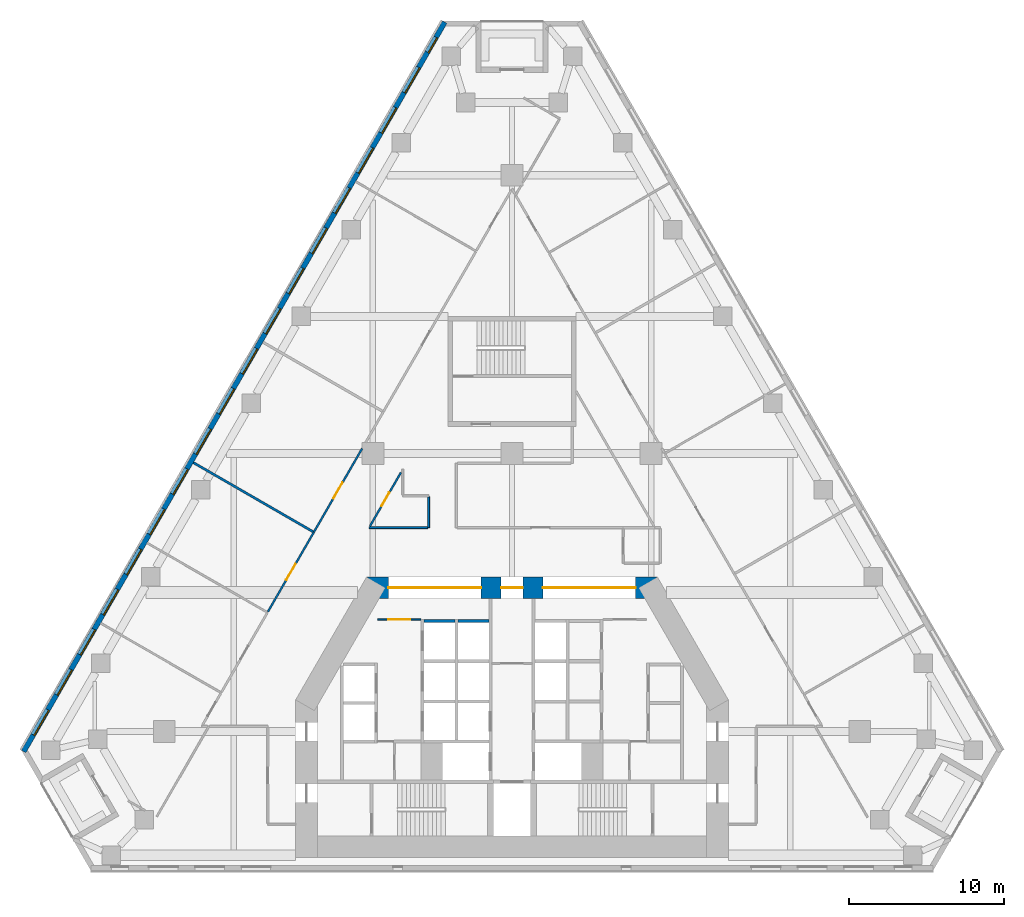
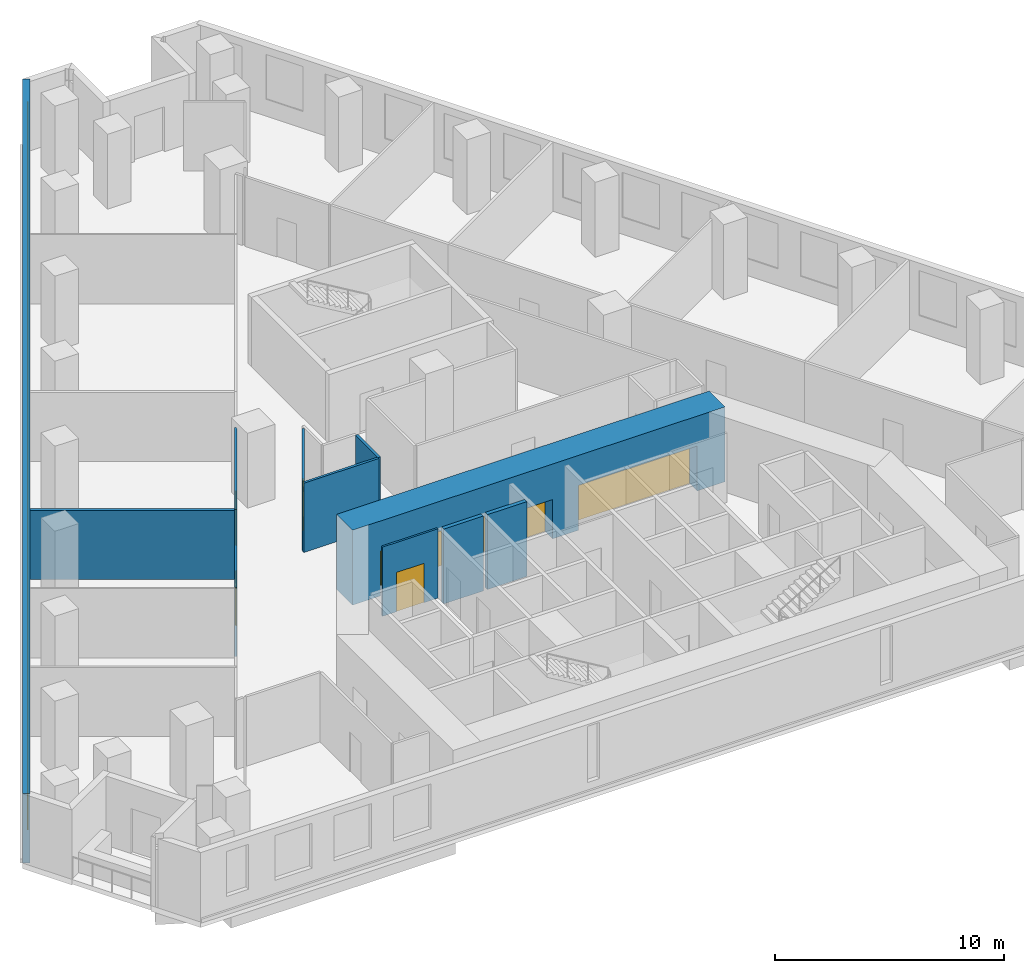
# One storey, part 5 of 11: 18 windows, 11 walls, 7 doors, 25 openings.
"""IFC4 building model written with IfcOpenShell, lengths in metres."""

from ifc_helpers import new_model, si_unit, direction, frame, frame_2d, origin, place, context, subcontext, project, spatial, rectangle, extrude, material, layer, layer_set, type_object, element, fill, save


model = new_model("IFC4")

# Units and contexts
model_context = context("Model", 3, precision=1e-05, world=origin(), true_north=direction((0.0, 1.0)))
body_context = subcontext(model_context, "Body", "Model", "MODEL_VIEW")
ifc_project = project(units=[si_unit("LENGTHUNIT", "METRE"), si_unit("AREAUNIT", "SQUARE_METRE"), si_unit("VOLUMEUNIT", "CUBIC_METRE"), si_unit("PLANEANGLEUNIT", "RADIAN"), si_unit("MASSUNIT", "GRAM", prefix="KILO")], contexts=[model_context])

# Site, building, storey
site_placement = place(None, origin())
site = spatial("IfcSite", under=ifc_project, at=site_placement, CompositionType="ELEMENT")
building_placement = place(site_placement, origin())
building = spatial("IfcBuilding", under=site, at=building_placement, Name="Fogline Exchange Tower", CompositionType="ELEMENT")
storey_placement = place(building_placement, frame((0.0, 0.0, 56.89990234375)))
storey = spatial("IfcBuildingStorey", under=building, at=storey_placement, Name="L11", CompositionType="ELEMENT", Elevation=56.89990234375)

# Wall, opening, door
ifc_material_1 = material(Name="Blockwork partition", Category="masonry")
ifc_layer_1 = layer(ifc_material_1, 0.10009765625)
ifc_layer_set_1 = layer_set([ifc_layer_1], Name="CW10")
wall_type_1 = type_object("IfcWallType", Name="CW10", PredefinedType="PARTITIONING", material=ifc_layer_set_1)
wall_1_placement = place(storey_placement, frame((-8.699951171875, 16.25, 0.0), z_axis=(0.0, 0.0, 1.0), x_axis=(1.0, 0.0, 0.0)))
wall_1 = element("IfcWall", 1, at=wall_1_placement, inside=storey, type_object=wall_type_1, Name="Lift lobby partition", PredefinedType="PARTITIONING", context=body_context, shape_type="SweptSolid", body=[
    extrude(rectangle(XDim=2.800048828125, YDim=0.10009765625, at=frame_2d((1.39990234375, 0.0))), origin(), (0.0, 0.0, 1.0), 3.7001953125),
])
opening_1_placement = place(wall_1_placement, frame((0.699951171875, 0.0, 0.0)))
opening_1 = element("IfcOpeningElement", 2, at=opening_1_placement, cuts=wall_1, Name="Opening T03-C007", PredefinedType="OPENING", context=body_context, shape_type="SweptSolid", body=[
    extrude(rectangle(XDim=1.39990234375, YDim=2.10009765625, at=frame_2d((0.699951171875, 1.050048828125))), frame((0.0, 0.06005859375, 0.0), z_axis=(0.0, -1.0, 0.0), x_axis=(1.0, 0.0, 0.0)), (0.0, 0.0, 1.0), 0.1201171875),
])
ifc_material_2 = material(Name="Steel and timber fire door", Category="steel")
door_type_1 = type_object("IfcDoorType", Name="D-LB1", OperationType="DOUBLE_DOOR_SINGLE_SWING", PredefinedType="DOOR", material=ifc_material_2)
door_1_placement = place(opening_1_placement, origin())
door_1 = element("IfcDoor", 3, at=door_1_placement, inside=storey, type_object=door_type_1, Name="Door to lift lobby", OperationType="DOUBLE_DOOR_SINGLE_SWING", OverallHeight=2.10009765625, OverallWidth=1.39990234375, PredefinedType="DOOR", context=body_context, shape_type="SweptSolid", body=[
    extrude(rectangle(XDim=1.39990234375, YDim=2.10009765625, at=frame_2d((0.699951171875, 1.050048828125))), frame((0.0, 0.02490234375, 0.0), z_axis=(0.0, -1.0, 0.0), x_axis=(1.0, 0.0, 0.0)), (0.0, 0.0, 1.0), 0.050048828125),
])
fill(opening_1, door_1)

# Walls
ifc_material_3 = material(Name="Concrete C40", Category="concrete")
ifc_layer_2 = layer(ifc_material_3, 0.199951171875)
ifc_layer_set_2 = layer_set([ifc_layer_2], Name="CW20S")
wall_type_2 = type_object("IfcWallType", Name="CW20S", PredefinedType="SOLIDWALL", material=ifc_layer_set_2)
for number, where, z_axis, x_axis, name in (
    (4, (-5.699951171875, 16.14990234375, -0.2998046875), (0.0, 0.0, 1.0), (1.0, 0.0, 0.0), "Lift shaft wall"),
    (5, (-3.5, 16.14990234375, -0.2998046875), (0.0, 0.0, 1.0), (1.0, 0.0, 0.0), "Lift shaft wall"),
):
    element("IfcWall", number, at=place(storey_placement, frame(where, z_axis=z_axis, x_axis=x_axis)), inside=storey, type_object=wall_type_2, Name=name, PredefinedType="SOLIDWALL", context=body_context, shape_type="SweptSolid", body=[
        extrude(rectangle(XDim=2.0, YDim=0.199951171875, at=frame_2d((1.0, 0.0))), origin(), (0.0, 0.0, 1.0), 4.0),
    ])

# Wall, openings, windows
ifc_material_4 = material(Name="Brick masonry", Category="masonry")
ifc_layer_3 = layer(ifc_material_4, 0.340087890625)
ifc_layer_set_3 = layer_set([ifc_layer_3], Name="FW1")
wall_type_3 = type_object("IfcWallType", Name="FW1", PredefinedType="SOLIDWALL", material=ifc_layer_set_3)
wall_2_placement = place(storey_placement, frame((-4.352783203125, 54.916748046875, 0.0), z_axis=(0.0, 0.0, 1.0), x_axis=(-0.499997975305, -0.86602657274, 0.0)))
wall_2 = element("IfcWall", 6, at=wall_2_placement, inside=storey, type_object=wall_type_3, Name="Brick wall L11 W", PredefinedType="SOLIDWALL", context=body_context, shape_type="SweptSolid", body=[
    extrude(rectangle(XDim=54.510498046875, YDim=0.340087890625, at=frame_2d((27.25537109375, 0.0))), origin(), (0.0, 0.0, 1.0), 3.7001953125),
])
opening_2_placement = place(wall_2_placement, frame((3.3828125, 0.0, 0.89990234375)))
opening_2 = element("IfcOpeningElement", 7, at=opening_2_placement, cuts=wall_2, Name="Opening W1", PredefinedType="OPENING", context=body_context, shape_type="SweptSolid", body=[
    extrude(rectangle(XDim=1.885009765625, YDim=2.39990234375, at=frame_2d((0.9423828125, 1.199951171875))), frame((0.0, 0.18017578125, 0.0), z_axis=(0.0, -1.0, 0.0), x_axis=(1.0, 0.0, 0.0)), (0.0, 0.0, 1.0), 0.360107421875),
])
opening_3_placement = place(wall_2_placement, frame((6.3828125, 0.0, 0.89990234375)))
opening_3 = element("IfcOpeningElement", 8, at=opening_3_placement, cuts=wall_2, Name="Opening W1", PredefinedType="OPENING", context=body_context, shape_type="SweptSolid", body=[
    extrude(rectangle(XDim=1.885009765625, YDim=2.39990234375, at=frame_2d((0.9423828125, 1.199951171875))), frame((0.0, 0.18017578125, 0.0), z_axis=(0.0, -1.0, 0.0), x_axis=(1.0, 0.0, 0.0)), (0.0, 0.0, 1.0), 0.360107421875),
])
opening_4_placement = place(wall_2_placement, frame((9.3828125, 0.0, 0.89990234375)))
opening_4 = element("IfcOpeningElement", 9, at=opening_4_placement, cuts=wall_2, Name="Opening W1", PredefinedType="OPENING", context=body_context, shape_type="SweptSolid", body=[
    extrude(rectangle(XDim=1.885009765625, YDim=2.39990234375, at=frame_2d((0.9423828125, 1.199951171875))), frame((0.0, 0.18017578125, 0.0), z_axis=(0.0, -1.0, 0.0), x_axis=(1.0, 0.0, 0.0)), (0.0, 0.0, 1.0), 0.360107421875),
])
opening_5_placement = place(wall_2_placement, frame((12.3828125, 0.0, 0.89990234375)))
opening_5 = element("IfcOpeningElement", 10, at=opening_5_placement, cuts=wall_2, Name="Opening W1", PredefinedType="OPENING", context=body_context, shape_type="SweptSolid", body=[
    extrude(rectangle(XDim=1.885009765625, YDim=2.39990234375, at=frame_2d((0.9423828125, 1.199951171875))), frame((0.0, 0.18017578125, 0.0), z_axis=(0.0, -1.0, 0.0), x_axis=(1.0, 0.0, 0.0)), (0.0, 0.0, 1.0), 0.360107421875),
])
opening_6_placement = place(wall_2_placement, frame((15.3828125, 0.0, 0.89990234375)))
opening_6 = element("IfcOpeningElement", 11, at=opening_6_placement, cuts=wall_2, Name="Opening W1", PredefinedType="OPENING", context=body_context, shape_type="SweptSolid", body=[
    extrude(rectangle(XDim=1.885009765625, YDim=2.39990234375, at=frame_2d((0.9423828125, 1.199951171875))), frame((0.0, 0.18017578125, 0.0), z_axis=(0.0, -1.0, 0.0), x_axis=(1.0, 0.0, 0.0)), (0.0, 0.0, 1.0), 0.360107421875),
])
opening_7_placement = place(wall_2_placement, frame((18.3828125, 0.0, 0.89990234375)))
opening_7 = element("IfcOpeningElement", 12, at=opening_7_placement, cuts=wall_2, Name="Opening W1", PredefinedType="OPENING", context=body_context, shape_type="SweptSolid", body=[
    extrude(rectangle(XDim=1.885009765625, YDim=2.39990234375, at=frame_2d((0.9423828125, 1.199951171875))), frame((0.0, 0.18017578125, 0.0), z_axis=(0.0, -1.0, 0.0), x_axis=(1.0, 0.0, 0.0)), (0.0, 0.0, 1.0), 0.360107421875),
])
opening_8_placement = place(wall_2_placement, frame((21.3828125, 0.0, 0.89990234375)))
opening_8 = element("IfcOpeningElement", 13, at=opening_8_placement, cuts=wall_2, Name="Opening W1", PredefinedType="OPENING", context=body_context, shape_type="SweptSolid", body=[
    extrude(rectangle(XDim=1.885009765625, YDim=2.39990234375, at=frame_2d((0.9423828125, 1.199951171875))), frame((0.0, 0.18017578125, 0.0), z_axis=(0.0, -1.0, 0.0), x_axis=(1.0, 0.0, 0.0)), (0.0, 0.0, 1.0), 0.360107421875),
])
opening_9_placement = place(wall_2_placement, frame((24.3828125, 0.0, 0.89990234375)))
opening_9 = element("IfcOpeningElement", 14, at=opening_9_placement, cuts=wall_2, Name="Opening W1", PredefinedType="OPENING", context=body_context, shape_type="SweptSolid", body=[
    extrude(rectangle(XDim=1.885009765625, YDim=2.39990234375, at=frame_2d((0.9423828125, 1.199951171875))), frame((0.0, 0.18017578125, 0.0), z_axis=(0.0, -1.0, 0.0), x_axis=(1.0, 0.0, 0.0)), (0.0, 0.0, 1.0), 0.360107421875),
])
opening_10_placement = place(wall_2_placement, frame((27.3828125, 0.0, 0.89990234375)))
opening_10 = element("IfcOpeningElement", 15, at=opening_10_placement, cuts=wall_2, Name="Opening W1", PredefinedType="OPENING", context=body_context, shape_type="SweptSolid", body=[
    extrude(rectangle(XDim=1.885009765625, YDim=2.39990234375, at=frame_2d((0.9423828125, 1.199951171875))), frame((0.0, 0.18017578125, 0.0), z_axis=(0.0, -1.0, 0.0), x_axis=(1.0, 0.0, 0.0)), (0.0, 0.0, 1.0), 0.360107421875),
])
opening_11_placement = place(wall_2_placement, frame((30.3828125, 0.0, 0.89990234375)))
opening_11 = element("IfcOpeningElement", 16, at=opening_11_placement, cuts=wall_2, Name="Opening W1", PredefinedType="OPENING", context=body_context, shape_type="SweptSolid", body=[
    extrude(rectangle(XDim=1.885009765625, YDim=2.39990234375, at=frame_2d((0.9423828125, 1.199951171875))), frame((0.0, 0.18017578125, 0.0), z_axis=(0.0, -1.0, 0.0), x_axis=(1.0, 0.0, 0.0)), (0.0, 0.0, 1.0), 0.360107421875),
])
opening_12_placement = place(wall_2_placement, frame((33.3828125, 0.0, 0.89990234375)))
opening_12 = element("IfcOpeningElement", 17, at=opening_12_placement, cuts=wall_2, Name="Opening W1", PredefinedType="OPENING", context=body_context, shape_type="SweptSolid", body=[
    extrude(rectangle(XDim=1.885009765625, YDim=2.39990234375, at=frame_2d((0.9423828125, 1.199951171875))), frame((0.0, 0.18017578125, 0.0), z_axis=(0.0, -1.0, 0.0), x_axis=(1.0, 0.0, 0.0)), (0.0, 0.0, 1.0), 0.360107421875),
])
opening_13_placement = place(wall_2_placement, frame((36.3828125, 0.0, 0.89990234375)))
opening_13 = element("IfcOpeningElement", 18, at=opening_13_placement, cuts=wall_2, Name="Opening W1", PredefinedType="OPENING", context=body_context, shape_type="SweptSolid", body=[
    extrude(rectangle(XDim=1.885009765625, YDim=2.39990234375, at=frame_2d((0.9423828125, 1.199951171875))), frame((0.0, 0.18017578125, 0.0), z_axis=(0.0, -1.0, 0.0), x_axis=(1.0, 0.0, 0.0)), (0.0, 0.0, 1.0), 0.360107421875),
])
opening_14_placement = place(wall_2_placement, frame((39.3828125, 0.0, 0.89990234375)))
opening_14 = element("IfcOpeningElement", 19, at=opening_14_placement, cuts=wall_2, Name="Opening W1", PredefinedType="OPENING", context=body_context, shape_type="SweptSolid", body=[
    extrude(rectangle(XDim=1.885009765625, YDim=2.39990234375, at=frame_2d((0.9423828125, 1.199951171875))), frame((0.0, 0.18017578125, 0.0), z_axis=(0.0, -1.0, 0.0), x_axis=(1.0, 0.0, 0.0)), (0.0, 0.0, 1.0), 0.360107421875),
])
opening_15_placement = place(wall_2_placement, frame((42.3828125, 0.0, 0.89990234375)))
opening_15 = element("IfcOpeningElement", 20, at=opening_15_placement, cuts=wall_2, Name="Opening W1", PredefinedType="OPENING", context=body_context, shape_type="SweptSolid", body=[
    extrude(rectangle(XDim=1.885009765625, YDim=2.39990234375, at=frame_2d((0.9423828125, 1.199951171875))), frame((0.0, 0.18017578125, 0.0), z_axis=(0.0, -1.0, 0.0), x_axis=(1.0, 0.0, 0.0)), (0.0, 0.0, 1.0), 0.360107421875),
])
opening_16_placement = place(wall_2_placement, frame((45.3828125, 0.0, 0.89990234375)))
opening_16 = element("IfcOpeningElement", 21, at=opening_16_placement, cuts=wall_2, Name="Opening W1", PredefinedType="OPENING", context=body_context, shape_type="SweptSolid", body=[
    extrude(rectangle(XDim=1.885009765625, YDim=2.39990234375, at=frame_2d((0.9423828125, 1.199951171875))), frame((0.0, 0.18017578125, 0.0), z_axis=(0.0, -1.0, 0.0), x_axis=(1.0, 0.0, 0.0)), (0.0, 0.0, 1.0), 0.360107421875),
])
opening_17_placement = place(wall_2_placement, frame((48.3828125, 0.0, 0.89990234375)))
opening_17 = element("IfcOpeningElement", 22, at=opening_17_placement, cuts=wall_2, Name="Opening W1", PredefinedType="OPENING", context=body_context, shape_type="SweptSolid", body=[
    extrude(rectangle(XDim=1.885009765625, YDim=2.39990234375, at=frame_2d((0.9423828125, 1.199951171875))), frame((0.0, 0.18017578125, 0.0), z_axis=(0.0, -1.0, 0.0), x_axis=(1.0, 0.0, 0.0)), (0.0, 0.0, 1.0), 0.360107421875),
])
opening_18_placement = place(wall_2_placement, frame((51.3828125, 0.0, 0.89990234375)))
opening_18 = element("IfcOpeningElement", 23, at=opening_18_placement, cuts=wall_2, Name="Opening W1", PredefinedType="OPENING", context=body_context, shape_type="SweptSolid", body=[
    extrude(rectangle(XDim=1.885009765625, YDim=2.39990234375, at=frame_2d((0.9423828125, 1.199951171875))), frame((0.0, 0.18017578125, 0.0), z_axis=(0.0, -1.0, 0.0), x_axis=(1.0, 0.0, 0.0)), (0.0, 0.0, 1.0), 0.360107421875),
])
opening_19_placement = place(wall_2_placement, frame((1.1337890625, 0.0, 0.89990234375)))
opening_19 = element("IfcOpeningElement", 24, at=opening_19_placement, cuts=wall_2, Name="Opening W4", PredefinedType="OPENING", context=body_context, shape_type="SweptSolid", body=[
    extrude(rectangle(XDim=1.114990234375, YDim=2.39990234375, at=frame_2d((0.5576171875, 1.199951171875))), frame((0.0, 0.18017578125, 0.0), z_axis=(0.0, -1.0, 0.0), x_axis=(1.0, 0.0, 0.0)), (0.0, 0.0, 1.0), 0.360107421875),
])
ifc_material_5 = material(Name="Aluminium and glass", Category="aluminium")
window_type_1 = type_object("IfcWindowType", Name="W1", PartitioningType="SINGLE_PANEL", PredefinedType="WINDOW", material=ifc_material_5)
window_1_placement = place(opening_2_placement, origin())
window_1 = element("IfcWindow", 25, at=window_1_placement, inside=storey, type_object=window_type_1, Name="W1 W1", OverallHeight=2.39990234375, OverallWidth=1.885009765625, PartitioningType="SINGLE_PANEL", PredefinedType="WINDOW", context=body_context, shape_type="SweptSolid", body=[
    extrude(rectangle(XDim=1.885009765625, YDim=2.39990234375, at=frame_2d((0.9423828125, 1.199951171875))), frame((0.0, 0.110107421875, 0.0), z_axis=(0.0, -1.0, 0.0), x_axis=(1.0, 0.0, 0.0)), (0.0, 0.0, 1.0), 0.06005859375),
])
fill(opening_2, window_1)
window_2_placement = place(opening_3_placement, origin())
window_2 = element("IfcWindow", 26, at=window_2_placement, inside=storey, type_object=window_type_1, Name="W1 W1", OverallHeight=2.39990234375, OverallWidth=1.885009765625, PartitioningType="SINGLE_PANEL", PredefinedType="WINDOW", context=body_context, shape_type="SweptSolid", body=[
    extrude(rectangle(XDim=1.885009765625, YDim=2.39990234375, at=frame_2d((0.9423828125, 1.199951171875))), frame((0.0, 0.110107421875, 0.0), z_axis=(0.0, -1.0, 0.0), x_axis=(1.0, 0.0, 0.0)), (0.0, 0.0, 1.0), 0.06005859375),
])
fill(opening_3, window_2)
window_3_placement = place(opening_4_placement, origin())
window_3 = element("IfcWindow", 27, at=window_3_placement, inside=storey, type_object=window_type_1, Name="W1 W1", OverallHeight=2.39990234375, OverallWidth=1.885009765625, PartitioningType="SINGLE_PANEL", PredefinedType="WINDOW", context=body_context, shape_type="SweptSolid", body=[
    extrude(rectangle(XDim=1.885009765625, YDim=2.39990234375, at=frame_2d((0.9423828125, 1.199951171875))), frame((0.0, 0.110107421875, 0.0), z_axis=(0.0, -1.0, 0.0), x_axis=(1.0, 0.0, 0.0)), (0.0, 0.0, 1.0), 0.06005859375),
])
fill(opening_4, window_3)
window_4_placement = place(opening_5_placement, origin())
window_4 = element("IfcWindow", 28, at=window_4_placement, inside=storey, type_object=window_type_1, Name="W1 W1", OverallHeight=2.39990234375, OverallWidth=1.885009765625, PartitioningType="SINGLE_PANEL", PredefinedType="WINDOW", context=body_context, shape_type="SweptSolid", body=[
    extrude(rectangle(XDim=1.885009765625, YDim=2.39990234375, at=frame_2d((0.9423828125, 1.199951171875))), frame((0.0, 0.110107421875, 0.0), z_axis=(0.0, -1.0, 0.0), x_axis=(1.0, 0.0, 0.0)), (0.0, 0.0, 1.0), 0.06005859375),
])
fill(opening_5, window_4)
window_5_placement = place(opening_6_placement, origin())
window_5 = element("IfcWindow", 29, at=window_5_placement, inside=storey, type_object=window_type_1, Name="W1 W1", OverallHeight=2.39990234375, OverallWidth=1.885009765625, PartitioningType="SINGLE_PANEL", PredefinedType="WINDOW", context=body_context, shape_type="SweptSolid", body=[
    extrude(rectangle(XDim=1.885009765625, YDim=2.39990234375, at=frame_2d((0.9423828125, 1.199951171875))), frame((0.0, 0.110107421875, 0.0), z_axis=(0.0, -1.0, 0.0), x_axis=(1.0, 0.0, 0.0)), (0.0, 0.0, 1.0), 0.06005859375),
])
fill(opening_6, window_5)
window_6_placement = place(opening_7_placement, origin())
window_6 = element("IfcWindow", 30, at=window_6_placement, inside=storey, type_object=window_type_1, Name="W1 W1", OverallHeight=2.39990234375, OverallWidth=1.885009765625, PartitioningType="SINGLE_PANEL", PredefinedType="WINDOW", context=body_context, shape_type="SweptSolid", body=[
    extrude(rectangle(XDim=1.885009765625, YDim=2.39990234375, at=frame_2d((0.9423828125, 1.199951171875))), frame((0.0, 0.110107421875, 0.0), z_axis=(0.0, -1.0, 0.0), x_axis=(1.0, 0.0, 0.0)), (0.0, 0.0, 1.0), 0.06005859375),
])
fill(opening_7, window_6)
window_7_placement = place(opening_8_placement, origin())
window_7 = element("IfcWindow", 31, at=window_7_placement, inside=storey, type_object=window_type_1, Name="W1 W1", OverallHeight=2.39990234375, OverallWidth=1.885009765625, PartitioningType="SINGLE_PANEL", PredefinedType="WINDOW", context=body_context, shape_type="SweptSolid", body=[
    extrude(rectangle(XDim=1.885009765625, YDim=2.39990234375, at=frame_2d((0.9423828125, 1.199951171875))), frame((0.0, 0.110107421875, 0.0), z_axis=(0.0, -1.0, 0.0), x_axis=(1.0, 0.0, 0.0)), (0.0, 0.0, 1.0), 0.06005859375),
])
fill(opening_8, window_7)
window_8_placement = place(opening_9_placement, origin())
window_8 = element("IfcWindow", 32, at=window_8_placement, inside=storey, type_object=window_type_1, Name="W1 W1", OverallHeight=2.39990234375, OverallWidth=1.885009765625, PartitioningType="SINGLE_PANEL", PredefinedType="WINDOW", context=body_context, shape_type="SweptSolid", body=[
    extrude(rectangle(XDim=1.885009765625, YDim=2.39990234375, at=frame_2d((0.9423828125, 1.199951171875))), frame((0.0, 0.110107421875, 0.0), z_axis=(0.0, -1.0, 0.0), x_axis=(1.0, 0.0, 0.0)), (0.0, 0.0, 1.0), 0.06005859375),
])
fill(opening_9, window_8)
window_9_placement = place(opening_10_placement, origin())
window_9 = element("IfcWindow", 33, at=window_9_placement, inside=storey, type_object=window_type_1, Name="W1 W1", OverallHeight=2.39990234375, OverallWidth=1.885009765625, PartitioningType="SINGLE_PANEL", PredefinedType="WINDOW", context=body_context, shape_type="SweptSolid", body=[
    extrude(rectangle(XDim=1.885009765625, YDim=2.39990234375, at=frame_2d((0.9423828125, 1.199951171875))), frame((0.0, 0.110107421875, 0.0), z_axis=(0.0, -1.0, 0.0), x_axis=(1.0, 0.0, 0.0)), (0.0, 0.0, 1.0), 0.06005859375),
])
fill(opening_10, window_9)
window_10_placement = place(opening_11_placement, origin())
window_10 = element("IfcWindow", 34, at=window_10_placement, inside=storey, type_object=window_type_1, Name="W1 W1", OverallHeight=2.39990234375, OverallWidth=1.885009765625, PartitioningType="SINGLE_PANEL", PredefinedType="WINDOW", context=body_context, shape_type="SweptSolid", body=[
    extrude(rectangle(XDim=1.885009765625, YDim=2.39990234375, at=frame_2d((0.9423828125, 1.199951171875))), frame((0.0, 0.110107421875, 0.0), z_axis=(0.0, -1.0, 0.0), x_axis=(1.0, 0.0, 0.0)), (0.0, 0.0, 1.0), 0.06005859375),
])
fill(opening_11, window_10)
window_11_placement = place(opening_12_placement, origin())
window_11 = element("IfcWindow", 35, at=window_11_placement, inside=storey, type_object=window_type_1, Name="W1 W1", OverallHeight=2.39990234375, OverallWidth=1.885009765625, PartitioningType="SINGLE_PANEL", PredefinedType="WINDOW", context=body_context, shape_type="SweptSolid", body=[
    extrude(rectangle(XDim=1.885009765625, YDim=2.39990234375, at=frame_2d((0.9423828125, 1.199951171875))), frame((0.0, 0.110107421875, 0.0), z_axis=(0.0, -1.0, 0.0), x_axis=(1.0, 0.0, 0.0)), (0.0, 0.0, 1.0), 0.06005859375),
])
fill(opening_12, window_11)
window_12_placement = place(opening_13_placement, origin())
window_12 = element("IfcWindow", 36, at=window_12_placement, inside=storey, type_object=window_type_1, Name="W1 W1", OverallHeight=2.39990234375, OverallWidth=1.885009765625, PartitioningType="SINGLE_PANEL", PredefinedType="WINDOW", context=body_context, shape_type="SweptSolid", body=[
    extrude(rectangle(XDim=1.885009765625, YDim=2.39990234375, at=frame_2d((0.9423828125, 1.199951171875))), frame((0.0, 0.110107421875, 0.0), z_axis=(0.0, -1.0, 0.0), x_axis=(1.0, 0.0, 0.0)), (0.0, 0.0, 1.0), 0.06005859375),
])
fill(opening_13, window_12)
window_13_placement = place(opening_14_placement, origin())
window_13 = element("IfcWindow", 37, at=window_13_placement, inside=storey, type_object=window_type_1, Name="W1 W1", OverallHeight=2.39990234375, OverallWidth=1.885009765625, PartitioningType="SINGLE_PANEL", PredefinedType="WINDOW", context=body_context, shape_type="SweptSolid", body=[
    extrude(rectangle(XDim=1.885009765625, YDim=2.39990234375, at=frame_2d((0.9423828125, 1.199951171875))), frame((0.0, 0.110107421875, 0.0), z_axis=(0.0, -1.0, 0.0), x_axis=(1.0, 0.0, 0.0)), (0.0, 0.0, 1.0), 0.06005859375),
])
fill(opening_14, window_13)
window_14_placement = place(opening_15_placement, origin())
window_14 = element("IfcWindow", 38, at=window_14_placement, inside=storey, type_object=window_type_1, Name="W1 W1", OverallHeight=2.39990234375, OverallWidth=1.885009765625, PartitioningType="SINGLE_PANEL", PredefinedType="WINDOW", context=body_context, shape_type="SweptSolid", body=[
    extrude(rectangle(XDim=1.885009765625, YDim=2.39990234375, at=frame_2d((0.9423828125, 1.199951171875))), frame((0.0, 0.110107421875, 0.0), z_axis=(0.0, -1.0, 0.0), x_axis=(1.0, 0.0, 0.0)), (0.0, 0.0, 1.0), 0.06005859375),
])
fill(opening_15, window_14)
window_15_placement = place(opening_16_placement, origin())
window_15 = element("IfcWindow", 39, at=window_15_placement, inside=storey, type_object=window_type_1, Name="W1 W1", OverallHeight=2.39990234375, OverallWidth=1.885009765625, PartitioningType="SINGLE_PANEL", PredefinedType="WINDOW", context=body_context, shape_type="SweptSolid", body=[
    extrude(rectangle(XDim=1.885009765625, YDim=2.39990234375, at=frame_2d((0.9423828125, 1.199951171875))), frame((0.0, 0.110107421875, 0.0), z_axis=(0.0, -1.0, 0.0), x_axis=(1.0, 0.0, 0.0)), (0.0, 0.0, 1.0), 0.06005859375),
])
fill(opening_16, window_15)
window_16_placement = place(opening_17_placement, origin())
window_16 = element("IfcWindow", 40, at=window_16_placement, inside=storey, type_object=window_type_1, Name="W1 W1", OverallHeight=2.39990234375, OverallWidth=1.885009765625, PartitioningType="SINGLE_PANEL", PredefinedType="WINDOW", context=body_context, shape_type="SweptSolid", body=[
    extrude(rectangle(XDim=1.885009765625, YDim=2.39990234375, at=frame_2d((0.9423828125, 1.199951171875))), frame((0.0, 0.110107421875, 0.0), z_axis=(0.0, -1.0, 0.0), x_axis=(1.0, 0.0, 0.0)), (0.0, 0.0, 1.0), 0.06005859375),
])
fill(opening_17, window_16)
window_17_placement = place(opening_18_placement, origin())
window_17 = element("IfcWindow", 41, at=window_17_placement, inside=storey, type_object=window_type_1, Name="W1 W1", OverallHeight=2.39990234375, OverallWidth=1.885009765625, PartitioningType="SINGLE_PANEL", PredefinedType="WINDOW", context=body_context, shape_type="SweptSolid", body=[
    extrude(rectangle(XDim=1.885009765625, YDim=2.39990234375, at=frame_2d((0.9423828125, 1.199951171875))), frame((0.0, 0.110107421875, 0.0), z_axis=(0.0, -1.0, 0.0), x_axis=(1.0, 0.0, 0.0)), (0.0, 0.0, 1.0), 0.06005859375),
])
fill(opening_18, window_17)
window_type_2 = type_object("IfcWindowType", Name="W4", PartitioningType="SINGLE_PANEL", PredefinedType="WINDOW", material=ifc_material_5)
window_18_placement = place(opening_19_placement, origin())
window_18 = element("IfcWindow", 42, at=window_18_placement, inside=storey, type_object=window_type_2, Name="W4 W4", OverallHeight=2.39990234375, OverallWidth=1.114990234375, PartitioningType="SINGLE_PANEL", PredefinedType="WINDOW", context=body_context, shape_type="SweptSolid", body=[
    extrude(rectangle(XDim=1.114990234375, YDim=2.39990234375, at=frame_2d((0.5576171875, 1.199951171875))), frame((0.0, 0.110107421875, 0.0), z_axis=(0.0, -1.0, 0.0), x_axis=(1.0, 0.0, 0.0)), (0.0, 0.0, 1.0), 0.06005859375),
])
fill(opening_19, window_18)

# Wall
ifc_material_6 = material(Name="Plasterboard corridor partition with mineral wool, 2 layers each side")
ifc_layer_4 = layer(ifc_material_6, 0.125)
ifc_layer_set_4 = layer_set([ifc_layer_4], Name="PW2")
wall_type_4 = type_object("IfcWallType", Name="PW2", PredefinedType="PARTITIONING", material=ifc_layer_set_4)
wall_3_placement = place(storey_placement, frame((-9.246826171875, 22.199951171875, 0.0), z_axis=(0.0, 0.0, 1.0), x_axis=(1.0, 0.0, 0.0)))
element("IfcWall", 43, at=wall_3_placement, inside=storey, type_object=wall_type_4, Name="wall-L11-W007", PredefinedType="PARTITIONING", context=body_context, shape_type="SweptSolid", body=[
    extrude(rectangle(XDim=3.784423828125, YDim=0.125, at=frame_2d((1.89208984375, 0.0))), origin(), (0.0, 0.0, 1.0), 3.7001953125),
])

# Wall, opening, door
wall_4_placement = place(storey_placement, frame((-12.823974609375, 21.904052734375, 0.0), z_axis=(0.0, 0.0, 1.0), x_axis=(0.500005450501, 0.866022256913, 0.0)))
wall_4 = element("IfcWall", 44, at=wall_4_placement, inside=storey, type_object=wall_type_4, Name="wall-L11-W020", PredefinedType="PARTITIONING", context=body_context, shape_type="SweptSolid", body=[
    extrude(rectangle(XDim=6.248046875, YDim=0.125, at=frame_2d((3.1240234375, 0.0))), origin(), (0.0, 0.0, 1.0), 3.7001953125),
])
opening_20_placement = place(wall_4_placement, frame((2.52392578125, 0.0, 0.0)))
opening_20 = element("IfcOpeningElement", 45, at=opening_20_placement, cuts=wall_4, Name="Opening T03-D011", PredefinedType="OPENING", context=body_context, shape_type="SweptSolid", body=[
    extrude(rectangle(XDim=1.199951171875, YDim=2.10009765625, at=frame_2d((0.60009765625, 1.050048828125))), frame((0.0, 0.072509765625, 0.0), z_axis=(0.0, -1.0, 0.0), x_axis=(1.0, 0.0, 0.0)), (0.0, 0.0, 1.0), 0.14501953125),
])
ifc_material_7 = material(Name="Fire-rated glazed door leaf with steel frame", Category="steel")
door_type_2 = type_object("IfcDoorType", Name="D5", OperationType="SINGLE_SWING_LEFT", PredefinedType="DOOR", material=ifc_material_7)
door_2_placement = place(opening_20_placement, origin())
door_2 = element("IfcDoor", 46, at=door_2_placement, inside=storey, type_object=door_type_2, Name="door-L11-D011", OperationType="SINGLE_SWING_LEFT", OverallHeight=2.10009765625, OverallWidth=1.199951171875, PredefinedType="DOOR", context=body_context, shape_type="SweptSolid", body=[
    extrude(rectangle(XDim=1.199951171875, YDim=2.10009765625, at=frame_2d((0.60009765625, 1.050048828125))), frame((0.0, 0.02490234375, 0.0), z_axis=(0.0, -1.0, 0.0), x_axis=(1.0, 0.0, 0.0)), (0.0, 0.0, 1.0), 0.050048828125),
])
fill(opening_20, door_2)

wall_5_placement = place(storey_placement, frame((-7.186767578125, 25.76806640625, 0.0), z_axis=(0.0, 0.0, 1.0), x_axis=(-0.499994660107, -0.866028486751, 0.0)))
wall_5 = element("IfcWall", 47, at=wall_5_placement, inside=storey, type_object=wall_type_4, Name="wall-L11-W022", PredefinedType="PARTITIONING", context=body_context, shape_type="SweptSolid", body=[
    extrude(rectangle(XDim=4.01123046875, YDim=0.125, at=frame_2d((2.005615234375, 0.0))), origin(), (0.0, 0.0, 1.0), 3.7001953125),
])
opening_21_placement = place(wall_5_placement, frame((1.505615234375, 0.0, 0.0)))
opening_21 = element("IfcOpeningElement", 48, at=opening_21_placement, cuts=wall_5, Name="Opening T03-D012", PredefinedType="OPENING", context=body_context, shape_type="SweptSolid", body=[
    extrude(rectangle(XDim=1.0, YDim=2.10009765625, at=frame_2d((0.5, 1.050048828125))), frame((0.0, 0.072509765625, 0.0), z_axis=(0.0, -1.0, 0.0), x_axis=(1.0, 0.0, 0.0)), (0.0, 0.0, 1.0), 0.14501953125),
])
ifc_material_8 = material(Name="Fire-rated timber door leaf with steel frame", Category="steel")
door_type_3 = type_object("IfcDoorType", Name="D3", OperationType="SINGLE_SWING_LEFT", PredefinedType="DOOR", material=ifc_material_8)
door_3_placement = place(opening_21_placement, origin())
door_3 = element("IfcDoor", 49, at=door_3_placement, inside=storey, type_object=door_type_3, Name="door-L11-D012", OperationType="SINGLE_SWING_LEFT", OverallHeight=2.10009765625, OverallWidth=1.0, PredefinedType="DOOR", context=body_context, shape_type="SweptSolid", body=[
    extrude(rectangle(XDim=1.0, YDim=2.10009765625, at=frame_2d((0.5, 1.050048828125))), frame((0.0, 0.02490234375, 0.0), z_axis=(0.0, -1.0, 0.0), x_axis=(1.0, 0.0, 0.0)), (0.0, 0.0, 1.0), 0.050048828125),
])
fill(opening_21, door_3)

wall_6_placement = place(storey_placement, frame((-15.798828125, 16.751708984375, 0.0), z_axis=(0.0, 0.0, 1.0), x_axis=(0.500018463402, 0.866014743672, 0.0)))
wall_6 = element("IfcWall", 50, at=wall_6_placement, inside=storey, type_object=wall_type_4, Name="wall-L11-W023", PredefinedType="PARTITIONING", context=body_context, shape_type="SweptSolid", body=[
    extrude(rectangle(XDim=5.949462890625, YDim=0.125, at=frame_2d((2.974609375, 0.0))), origin(), (0.0, 0.0, 1.0), 3.7001953125),
])
opening_22_placement = place(wall_6_placement, frame((2.374755859375, 0.0, 0.0)))
opening_22 = element("IfcOpeningElement", 51, at=opening_22_placement, cuts=wall_6, Name="Opening T03-D013", PredefinedType="OPENING", context=body_context, shape_type="SweptSolid", body=[
    extrude(rectangle(XDim=1.199951171875, YDim=2.10009765625, at=frame_2d((0.60009765625, 1.050048828125))), frame((0.0, 0.072509765625, 0.0), z_axis=(0.0, -1.0, 0.0), x_axis=(1.0, 0.0, 0.0)), (0.0, 0.0, 1.0), 0.14501953125),
])
door_4_placement = place(opening_22_placement, origin())
door_4 = element("IfcDoor", 52, at=door_4_placement, inside=storey, type_object=door_type_2, Name="door-L11-D013", OperationType="SINGLE_SWING_LEFT", OverallHeight=2.10009765625, OverallWidth=1.199951171875, PredefinedType="DOOR", context=body_context, shape_type="SweptSolid", body=[
    extrude(rectangle(XDim=1.199951171875, YDim=2.10009765625, at=frame_2d((0.60009765625, 1.050048828125))), frame((0.0, 0.02490234375, 0.0), z_axis=(0.0, -1.0, 0.0), x_axis=(1.0, 0.0, 0.0)), (0.0, 0.0, 1.0), 0.050048828125),
])
fill(opening_22, door_4)

# Walls
wall_7_placement = place(storey_placement, frame((-5.39990234375, 22.199951171875, 0.0), z_axis=(0.0, 0.0, 1.0), x_axis=(0.0, 1.0, 0.0)))
element("IfcWall", 53, at=wall_7_placement, inside=storey, type_object=wall_type_4, Name="wall-L11-W038", PredefinedType="PARTITIONING", context=body_context, shape_type="SweptSolid", body=[
    extrude(rectangle(XDim=1.99462890625, YDim=0.125, at=frame_2d((0.997314453125, 0.0))), origin(), (0.0, 0.0, 1.0), 3.7001953125),
])
ifc_material_9 = material(Name="Plasterboard demising partition with mineral wool and acoustic board")
ifc_layer_5 = layer(ifc_material_9, 0.14990234375)
ifc_layer_set_5 = layer_set([ifc_layer_5], Name="PW3")
wall_type_5 = type_object("IfcWallType", Name="PW3", PredefinedType="PARTITIONING", material=ifc_layer_set_5)
wall_8_placement = place(storey_placement, frame((-12.878173828125, 21.935302734375, 0.0), z_axis=(0.0, 0.0, 1.0), x_axis=(-0.866022276127, 0.500005417223, 0.0)))
element("IfcWall", 54, at=wall_8_placement, inside=storey, type_object=wall_type_5, Name="wall-L11-W050", PredefinedType="PARTITIONING", context=body_context, shape_type="SweptSolid", body=[
    extrude(rectangle(XDim=8.9375, YDim=0.14990234375, at=frame_2d((4.46875, 0.0))), origin(), (0.0, 0.0, 1.0), 3.7001953125),
])

# Wall, openings, doors
ifc_material_10 = material(Name="Concrete C60", Category="concrete")
ifc_layer_6 = layer(ifc_material_10, 1.39990234375)
ifc_layer_set_6 = layer_set([ifc_layer_6], Name="SW01")
wall_type_6 = type_object("IfcWallType", Name="SW01", PredefinedType="SHEAR", material=ifc_layer_set_6)
wall_9_placement = place(storey_placement, frame((9.41162109375, 18.300048828125, 0.0), z_axis=(0.0, 0.0, 1.0), x_axis=(-1.0, 0.0, 0.0)))
wall_9 = element("IfcWall", 55, at=wall_9_placement, inside=storey, type_object=wall_type_6, Name="L11-W904", PredefinedType="SHEAR", context=body_context, shape_type="SweptSolid", body=[
    extrude(rectangle(XDim=18.8232421875, YDim=1.39990234375, at=frame_2d((9.41162109375, 0.0))), origin(), (0.0, 0.0, 1.0), 4.0),
])
opening_23_placement = place(wall_9_placement, frame((8.71142578125, 0.0, 0.0)))
opening_23 = element("IfcOpeningElement", 56, at=opening_23_placement, cuts=wall_9, Name="Opening T03-C020", PredefinedType="OPENING", context=body_context, shape_type="SweptSolid", body=[
    extrude(rectangle(XDim=1.39990234375, YDim=2.10009765625, at=frame_2d((0.699951171875, 1.050048828125))), frame((0.0, 0.7099609375, 0.0), z_axis=(0.0, -1.0, 0.0), x_axis=(1.0, 0.0, 0.0)), (0.0, 0.0, 1.0), 1.419921875),
])
opening_24_placement = place(wall_9_placement, frame((11.41162109375, 0.0, 0.0)))
opening_24 = element("IfcOpeningElement", 57, at=opening_24_placement, cuts=wall_9, Name="Opening T03-C021", PredefinedType="OPENING", context=body_context, shape_type="SweptSolid", body=[
    extrude(rectangle(XDim=6.0, YDim=2.39990234375, at=frame_2d((3.0, 1.199951171875))), frame((0.0, 0.7099609375, 0.0), z_axis=(0.0, -1.0, 0.0), x_axis=(1.0, 0.0, 0.0)), (0.0, 0.0, 1.0), 1.419921875),
])
opening_25_placement = place(wall_9_placement, frame((1.41162109375, 0.0, 0.0)))
opening_25 = element("IfcOpeningElement", 58, at=opening_25_placement, cuts=wall_9, Name="Opening T03-C022", PredefinedType="OPENING", context=body_context, shape_type="SweptSolid", body=[
    extrude(rectangle(XDim=6.0, YDim=2.39990234375, at=frame_2d((3.0, 1.199951171875))), frame((0.0, 0.7099609375, 0.0), z_axis=(0.0, -1.0, 0.0), x_axis=(1.0, 0.0, 0.0)), (0.0, 0.0, 1.0), 1.419921875),
])
door_5_placement = place(opening_23_placement, origin())
door_5 = element("IfcDoor", 59, at=door_5_placement, inside=storey, type_object=door_type_1, Name="Protected lobby door", OperationType="DOUBLE_DOOR_SINGLE_SWING", OverallHeight=2.10009765625, OverallWidth=1.39990234375, PredefinedType="DOOR", context=body_context, shape_type="SweptSolid", body=[
    extrude(rectangle(XDim=1.39990234375, YDim=2.10009765625, at=frame_2d((0.699951171875, 1.050048828125))), frame((0.0, 0.02490234375, 0.0), z_axis=(0.0, -1.0, 0.0), x_axis=(1.0, 0.0, 0.0)), (0.0, 0.0, 1.0), 0.050048828125),
])
fill(opening_23, door_5)
door_type_4 = type_object("IfcDoorType", Name="D-LE1", OperationType="DOUBLE_DOOR_SLIDING", PredefinedType="DOOR", material=ifc_material_2)
door_6_placement = place(opening_24_placement, origin())
door_6 = element("IfcDoor", 60, at=door_6_placement, inside=storey, type_object=door_type_4, Name="Lift lobby entrance west", OperationType="DOUBLE_DOOR_SLIDING", OverallHeight=2.39990234375, OverallWidth=6.0, PredefinedType="DOOR", context=body_context, shape_type="SweptSolid", body=[
    extrude(rectangle(XDim=6.0, YDim=2.39990234375, at=frame_2d((3.0, 1.199951171875))), frame((0.0, 0.02490234375, 0.0), z_axis=(0.0, -1.0, 0.0), x_axis=(1.0, 0.0, 0.0)), (0.0, 0.0, 1.0), 0.050048828125),
])
fill(opening_24, door_6)
door_7_placement = place(opening_25_placement, origin())
door_7 = element("IfcDoor", 61, at=door_7_placement, inside=storey, type_object=door_type_4, Name="Lift lobby entrance east", OperationType="DOUBLE_DOOR_SLIDING", OverallHeight=2.39990234375, OverallWidth=6.0, PredefinedType="DOOR", context=body_context, shape_type="SweptSolid", body=[
    extrude(rectangle(XDim=6.0, YDim=2.39990234375, at=frame_2d((3.0, 1.199951171875))), frame((0.0, 0.02490234375, 0.0), z_axis=(0.0, -1.0, 0.0), x_axis=(1.0, 0.0, 0.0)), (0.0, 0.0, 1.0), 0.050048828125),
])
fill(opening_25, door_7)

save(model, "model.ifc")
